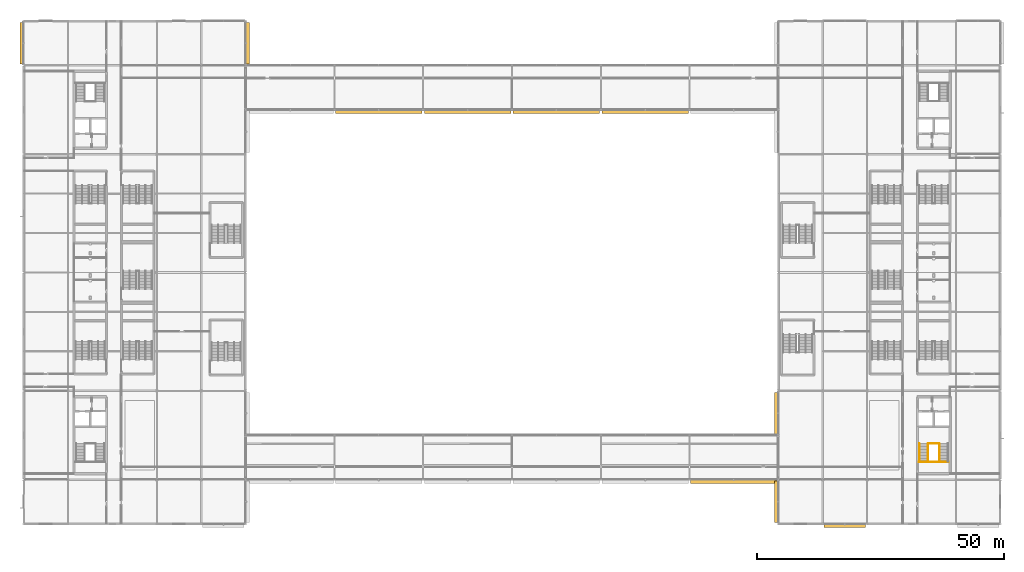
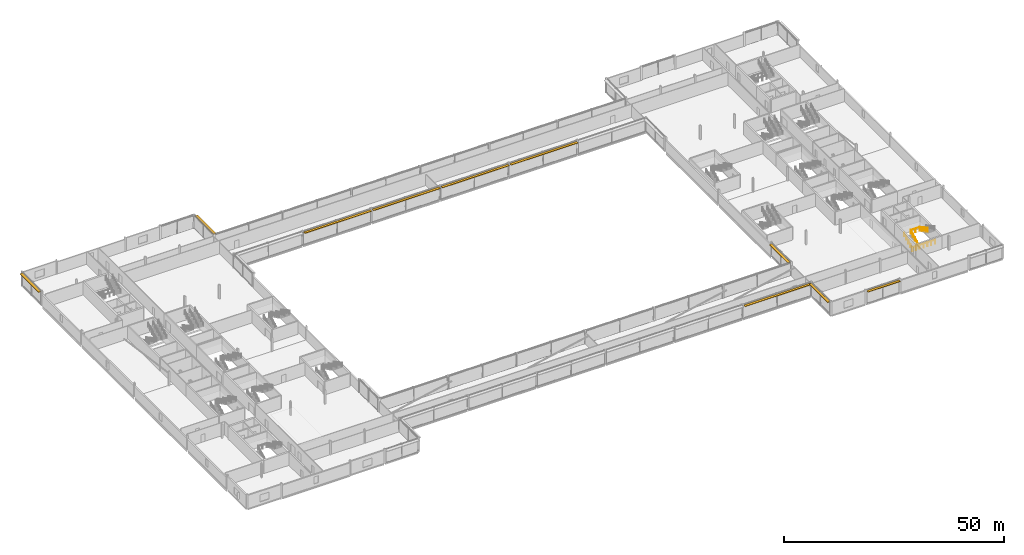
# One storey, part 93 of 98: 10 shading devices, 3 railings.
"""IFC4 building model written with IfcOpenShell, lengths in metres."""

from ifc_helpers import new_model, si_unit, direction, frame, origin, origin_2d, place, context, subcontext, project, spatial, rectangle, circle, extrude, material, type_object, element, save


model = new_model("IFC4")

# Units and contexts
model_context = context("Model", 3, precision=1e-05, world=origin(), true_north=direction((0.0, 1.0)))
body_context = subcontext(model_context, "Body", "Model", "MODEL_VIEW")
ifc_project = project(units=[si_unit("LENGTHUNIT", "METRE"), si_unit("AREAUNIT", "SQUARE_METRE"), si_unit("VOLUMEUNIT", "CUBIC_METRE"), si_unit("PLANEANGLEUNIT", "RADIAN"), si_unit("MASSUNIT", "GRAM", prefix="KILO")], contexts=[model_context])

# Site, building, storey
site_placement = place(None, origin())
site = spatial("IfcSite", under=ifc_project, at=site_placement, CompositionType="ELEMENT")
building_placement = place(site_placement, origin())
building = spatial("IfcBuilding", under=site, at=building_placement, Name="Kisiwana Market Hall", CompositionType="ELEMENT")
storey_placement = place(building_placement, frame((0.0, 0.0, 29.39990234375)))
storey = spatial("IfcBuildingStorey", under=building, at=storey_placement, Name="L06", CompositionType="ELEMENT", Elevation=29.39990234375)

# Railings
ifc_material_1 = material(Name="Steel S275", Category="steel")
railing_type_1 = type_object("IfcRailingType", Name="RL-GUARD-1100", PredefinedType="GUARDRAIL", material=ifc_material_1)
railing_1_placement = place(storey_placement, frame((183.35009765625, 21.6494140625, 0.0)))
element("IfcRailing", 1, at=railing_1_placement, inside=storey, type_object=railing_type_1, Name="Stair ST-E2-L06 inner-well guardrail (RL-959)", PredefinedType="GUARDRAIL", context=body_context, shape_type="SweptSolid", body=[
    extrude(circle(Radius=0.02392578125, at=origin_2d()), frame((0.0, 0.0, 1.076171875), z_axis=(0.0, 0.882541897885, 0.470233770031), x_axis=(-1.0, 0.0, 0.0)), (0.0, 0.0, 1.0), 4.147216796875),
    extrude(circle(Radius=0.02392578125, at=origin_2d()), frame((0.0, 3.66015625, 3.0263671875), z_axis=(1.0, 0.0, 0.0), x_axis=(0.0, 1.0, 0.0)), (0.0, 0.0, 1.0), 2.2998046875),
    extrude(circle(Radius=0.02392578125, at=origin_2d()), frame((2.2998046875, 3.66015625, 3.0263671875), z_axis=(0.0, -0.882566327451, 0.470187917379), x_axis=(1.0, 0.0, 0.0)), (0.0, 0.0, 1.0), 4.147216796875),
    extrude(circle(Radius=0.02099609375, at=origin_2d()), origin(), (0.0, 0.0, 1.0), 1.052001953125),
    extrude(circle(Radius=0.02099609375, at=origin_2d()), frame((0.0, 0.9150390625, 0.487548828125)), (0.0, 0.0, 1.0), 1.052001953125),
    extrude(circle(Radius=0.02099609375, at=origin_2d()), frame((0.0, 1.830078125, 0.97509765625)), (0.0, 0.0, 1.0), 1.052001953125),
    extrude(circle(Radius=0.02099609375, at=origin_2d()), frame((0.0, 2.7451171875, 1.462646484375)), (0.0, 0.0, 1.0), 1.052001953125),
    extrude(circle(Radius=0.02099609375, at=origin_2d()), frame((0.0, 3.66015625, 1.9501953125)), (0.0, 0.0, 1.0), 1.052001953125),
    extrude(circle(Radius=0.02099609375, at=origin_2d()), frame((1.14990234375, 3.66015625, 1.9501953125)), (0.0, 0.0, 1.0), 1.052001953125),
    extrude(circle(Radius=0.02099609375, at=origin_2d()), frame((2.2998046875, 3.66015625, 1.9501953125)), (0.0, 0.0, 1.0), 1.052001953125),
    extrude(circle(Radius=0.02099609375, at=origin_2d()), frame((2.2998046875, 2.7451171875, 2.437744140625)), (0.0, 0.0, 1.0), 1.052001953125),
    extrude(circle(Radius=0.02099609375, at=origin_2d()), frame((2.2998046875, 1.830078125, 2.92529296875)), (0.0, 0.0, 1.0), 1.052001953125),
    extrude(circle(Radius=0.02099609375, at=origin_2d()), frame((2.2998046875, 0.9150390625, 3.41259765625)), (0.0, 0.0, 1.0), 1.052001953125),
    extrude(circle(Radius=0.02099609375, at=origin_2d()), frame((2.2998046875, 0.0, 3.900146484375)), (0.0, 0.0, 1.0), 1.052001953125),
])
railing_2_placement = place(storey_placement, frame((181.47998046875, 21.569580078125, 0.0)))
element("IfcRailing", 2, at=railing_2_placement, inside=storey, type_object=railing_type_1, Name="Stair ST-E2-L06 landing edge guardrail (RL-962)", PredefinedType="GUARDRAIL", context=body_context, shape_type="SweptSolid", body=[
    extrude(circle(Radius=0.02392578125, at=origin_2d()), frame((0.0, 0.0, 1.076171875), z_axis=(1.0, 0.0, 0.0), x_axis=(0.0, 1.0, 0.0)), (0.0, 0.0, 1.0), 6.0400390625),
    extrude(circle(Radius=0.02099609375, at=origin_2d()), origin(), (0.0, 0.0, 1.0), 1.052001953125),
    extrude(circle(Radius=0.02099609375, at=origin_2d()), frame((1.006591796875, 0.0, 0.0)), (0.0, 0.0, 1.0), 1.052001953125),
    extrude(circle(Radius=0.02099609375, at=origin_2d()), frame((2.013427734375, 0.0, 0.0)), (0.0, 0.0, 1.0), 1.052001953125),
    extrude(circle(Radius=0.02099609375, at=origin_2d()), frame((3.02001953125, 0.0, 0.0)), (0.0, 0.0, 1.0), 1.052001953125),
    extrude(circle(Radius=0.02099609375, at=origin_2d()), frame((4.026611328125, 0.0, 0.0)), (0.0, 0.0, 1.0), 1.052001953125),
    extrude(circle(Radius=0.02099609375, at=origin_2d()), frame((5.033447265625, 0.0, 0.0)), (0.0, 0.0, 1.0), 1.052001953125),
    extrude(circle(Radius=0.02099609375, at=origin_2d()), frame((6.0400390625, 0.0, 0.0)), (0.0, 0.0, 1.0), 1.052001953125),
])
ifc_material_2 = material(Name="Steel S275", Category="steel")
railing_type_2 = type_object("IfcRailingType", Name="RL-HAND-900", PredefinedType="HANDRAIL", material=ifc_material_2)
railing_3_placement = place(storey_placement, frame((181.610107421875, 21.6494140625, 0.0)))
element("IfcRailing", 3, at=railing_3_placement, inside=storey, type_object=railing_type_2, Name="Stair ST-E2-L06 flight 1 handrail (RL-960)", PredefinedType="HANDRAIL", context=body_context, shape_type="SweptSolid", body=[
    extrude(circle(Radius=0.02392578125, at=origin_2d()), frame((0.0, 0.0, 0.8759765625), z_axis=(0.0, 0.882541897885, 0.470233770031), x_axis=(-1.0, 0.0, 0.0)), (0.0, 0.0, 1.0), 4.147216796875),
    extrude(circle(Radius=0.02099609375, at=origin_2d()), origin(), (0.0, 0.0, 1.0), 0.851806640625),
    extrude(circle(Radius=0.02099609375, at=origin_2d()), frame((0.0, 0.9150390625, 0.487548828125)), (0.0, 0.0, 1.0), 0.851806640625),
    extrude(circle(Radius=0.02099609375, at=origin_2d()), frame((0.0, 1.830078125, 0.97509765625)), (0.0, 0.0, 1.0), 0.851806640625),
    extrude(circle(Radius=0.02099609375, at=origin_2d()), frame((0.0, 2.7451171875, 1.462646484375)), (0.0, 0.0, 1.0), 0.851806640625),
    extrude(circle(Radius=0.02099609375, at=origin_2d()), frame((0.0, 3.66015625, 1.9501953125)), (0.0, 0.0, 1.0), 0.851806640625),
])

# Shading devices
ifc_material_3 = material(Name="Aluminium alloy 6063-T6", Category="aluminium")
shading_device_type = type_object("IfcShadingDeviceType", Name="SHD-JALOUSIE-H", PredefinedType="JALOUSIE", material=ifc_material_3)
shading_device_1_placement = place(storey_placement, frame((166.498779296875, 8.580078125, 3.43994140625), z_axis=(0.0, 0.0, 1.0), x_axis=(1.0, 0.0, 0.0)))
element("IfcShadingDevice", 4, at=shading_device_1_placement, inside=storey, type_object=shading_device_type, Name="Aluminium brise-soleil louvre SHD-128 SD-128", PredefinedType="JALOUSIE", context=body_context, shape_type="SweptSolid", body=[
    extrude(rectangle(XDim=8.427490234375, YDim=0.64990234375, at=origin_2d()), origin(), (0.0, 0.0, 1.0), 0.1201171875),
])
shading_device_2_placement = place(storey_placement, frame((143.969970703125, 17.580078125, 3.43994140625), z_axis=(0.0, 0.0, 1.0), x_axis=(1.0, 0.0, 0.0)))
element("IfcShadingDevice", 5, at=shading_device_2_placement, inside=storey, type_object=shading_device_type, Name="Aluminium brise-soleil louvre SHD-135 SD-135", PredefinedType="JALOUSIE", context=body_context, shape_type="SweptSolid", body=[
    extrude(rectangle(XDim=17.48974609375, YDim=0.64990234375, at=origin_2d()), origin(), (0.0, 0.0, 1.0), 0.1201171875),
])
for number, where, z_axis, x_axis, name in (
    (6, (72.0, 92.580078125, 3.43994140625), (0.0, 0.0, 1.0), (1.0, 0.0, 0.0), "Aluminium brise-soleil louvre SHD-137 SD-137"),
    (7, (90.0, 92.580078125, 3.43994140625), (0.0, 0.0, 1.0), (1.0, 0.0, 0.0), "Aluminium brise-soleil louvre SHD-138 SD-138"),
    (8, (108.0, 92.580078125, 3.43994140625), (0.0, 0.0, 1.0), (1.0, 0.0, 0.0), "Aluminium brise-soleil louvre SHD-139 SD-139"),
    (9, (126.0, 92.580078125, 3.43994140625), (0.0, 0.0, 1.0), (1.0, 0.0, 0.0), "Aluminium brise-soleil louvre SHD-140 SD-140"),
):
    element("IfcShadingDevice", number, at=place(storey_placement, frame(where, z_axis=z_axis, x_axis=x_axis)), inside=storey, type_object=shading_device_type, Name=name, PredefinedType="JALOUSIE", context=body_context, shape_type="SweptSolid", body=[
        extrude(rectangle(XDim=17.550048828125, YDim=0.64990234375, at=origin_2d()), origin(), (0.0, 0.0, 1.0), 0.1201171875),
    ])
for number, where, z_axis, x_axis, name in (
    (10, (-0.419921875, 106.5, 3.43994140625), (0.0, 0.0, 1.0), (0.0, 1.0, 0.0), "Aluminium brise-soleil louvre SHD-144 SD-144"),
    (11, (45.419921875, 106.5, 3.43994140625), (0.0, 0.0, 1.0), (0.0, 1.0, 0.0), "Aluminium brise-soleil louvre SHD-148 SD-148"),
    (12, (152.580078125, 13.5, 3.43994140625), (0.0, 0.0, 1.0), (0.0, 1.0, 0.0), "Aluminium brise-soleil louvre SHD-149 SD-149"),
    (13, (152.580078125, 31.5, 3.43994140625), (0.0, 0.0, 1.0), (0.0, 1.0, 0.0), "Aluminium brise-soleil louvre SHD-150 SD-150"),
):
    element("IfcShadingDevice", number, at=place(storey_placement, frame(where, z_axis=z_axis, x_axis=x_axis)), inside=storey, type_object=shading_device_type, Name=name, PredefinedType="JALOUSIE", context=body_context, shape_type="SweptSolid", body=[
        extrude(rectangle(XDim=8.43798828125, YDim=0.64990234375, at=origin_2d()), origin(), (0.0, 0.0, 1.0), 0.1201171875),
    ])

save(model, "model.ifc")
